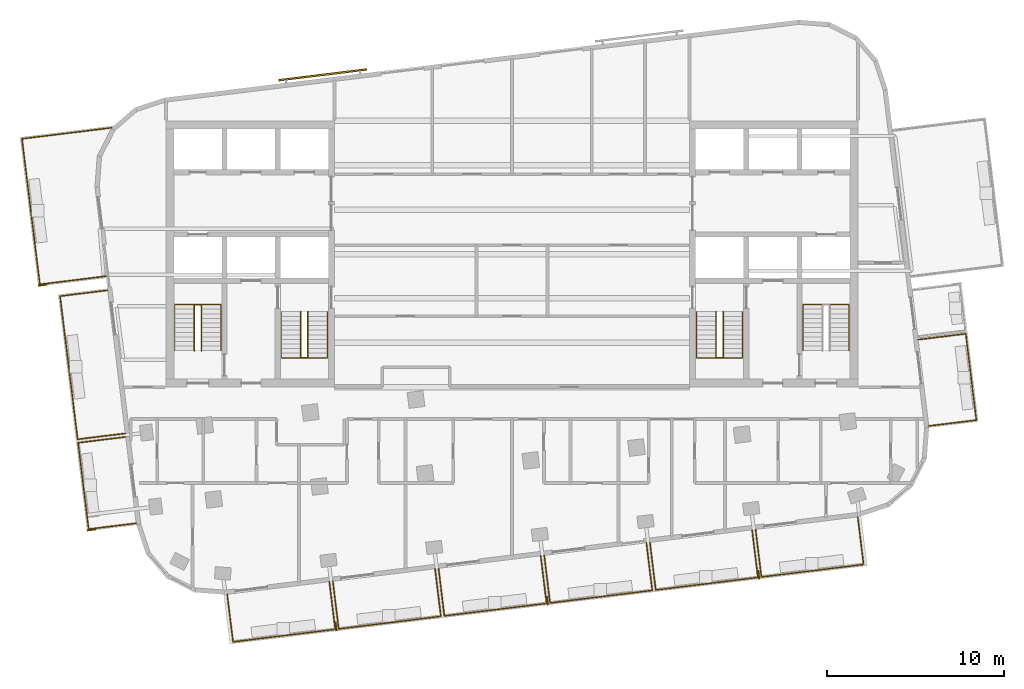
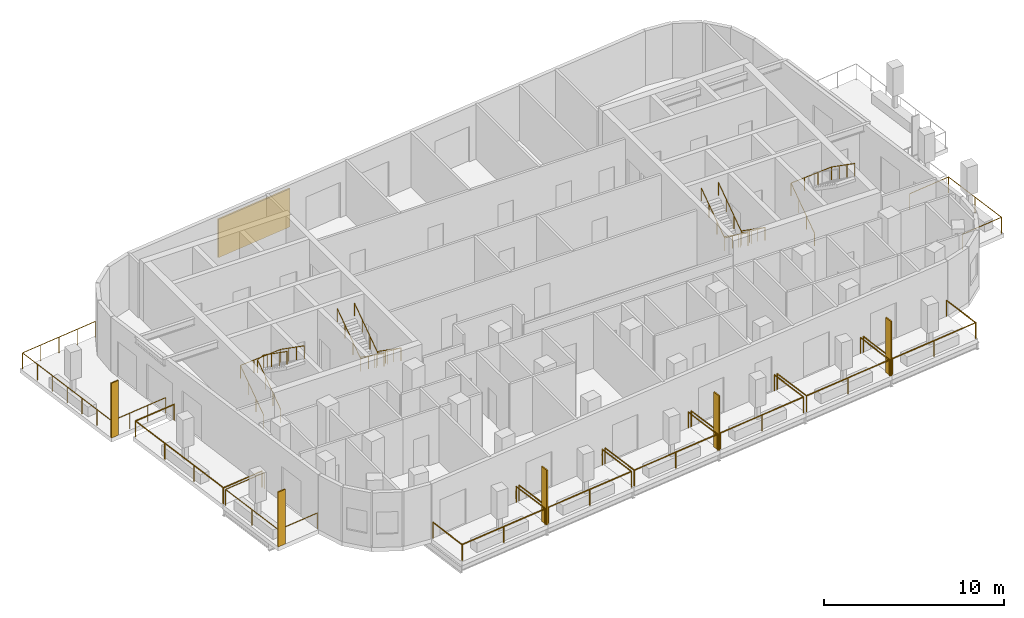
# One storey, part 9 of 11: 17 railings, 6 shading devices.
"""IFC4 building model written with IfcOpenShell, lengths in metres."""

import ifcopenshell
import ifcopenshell.guid

model = None  # the IFC model being written
_history = None  # IfcOwnerHistory: only IFC2X3 demands one
_inside = {}  # id of a spatial element -> (the spatial element, [elements in it])
_under = {}  # id of a project, library or spatial element -> (it, [spatial elements below it])
_declared = {}  # id of a project -> (the project, [libraries it declares])
_typed = {}  # id of a type object -> (the type object, [elements of that type])
_made_of = {}  # id of a material, layer set ... -> (it, [elements and type objects made of it])


def new_model(schema):
    """Start an empty IFC model of exactly this schema.

    Asked for "IFC4X3", IfcOpenShell would pick the latest addendum, in which some entities
    have other attributes; the version numbers below select the first issue.
    IFC2X3 requires an IfcOwnerHistory on every rooted entity: one is made here for all.
    """
    global model, _history
    if schema == "IFC4X3":
        model = ifcopenshell.file(schema_version=(4, 3, 0, 0))
    else:
        model = ifcopenshell.file(schema=schema)
    _inside.clear()
    _under.clear()
    _declared.clear()
    _typed.clear()
    _made_of.clear()
    _history = None
    if model.schema == "IFC2X3":
        org = make("IfcOrganization", Name="unknown")
        user = make(
            "IfcPersonAndOrganization",
            ThePerson=make("IfcPerson", FamilyName="unknown"),
            TheOrganization=org,
        )
        app = make(
            "IfcApplication",
            ApplicationDeveloper=org,
            Version="unknown",
            ApplicationFullName="unknown",
            ApplicationIdentifier="unknown",
        )
        _history = make(
            "IfcOwnerHistory",
            OwningUser=user,
            OwningApplication=app,
            ChangeAction="ADDED",
            CreationDate=0,
        )
    return model


def make(cls, **values):
    """One entity of the class cls with the attributes given. An attribute that is None is left unset."""
    return model.create_entity(
        cls, **{name: value for name, value in values.items() if value is not None}
    )


def rooted(cls, **values):
    """An entity with a GlobalId (a new one), such as an element, a storey or a relation."""
    return make(cls, GlobalId=ifcopenshell.guid.new(), OwnerHistory=_history, **values)


def si_unit(unit_type, name, prefix=None):
    """IfcSIUnit, for example si_unit("LENGTHUNIT", "METRE", prefix="MILLI")."""
    return make("IfcSIUnit", UnitType=unit_type, Prefix=prefix, Name=name)


def assignment(units):
    """IfcUnitAssignment: the units of a project."""
    return None if units is None else make("IfcUnitAssignment", Units=units)


def point(xyz):
    """IfcCartesianPoint."""
    return None if xyz is None else make("IfcCartesianPoint", Coordinates=xyz)


def direction(xyz):
    """IfcDirection."""
    return None if xyz is None else make("IfcDirection", DirectionRatios=xyz)


def frame(location, z_axis=None, x_axis=None):
    """IfcAxis2Placement3D, a coordinate frame: its origin and axes. An axis left out is left unset."""
    return make(
        "IfcAxis2Placement3D",
        Location=point(location),
        Axis=direction(z_axis),
        RefDirection=direction(x_axis),
    )


def frame_2d(location, x_axis=None):
    """IfcAxis2Placement2D, a coordinate frame in the plane: its origin and x axis."""
    return make(
        "IfcAxis2Placement2D", Location=point(location), RefDirection=direction(x_axis)
    )


def origin():
    """The frame at (0, 0, 0) with its axes left unset."""
    return frame((0.0, 0.0, 0.0))


def origin_2d():
    """The frame at (0, 0) in the plane with its x axis left unset."""
    return frame_2d((0.0, 0.0))


def place(relative_to, where):
    """IfcLocalPlacement: puts the frame where relative to a parent placement (None: the world)."""
    return make(
        "IfcLocalPlacement", PlacementRelTo=relative_to, RelativePlacement=where
    )


def context(
    kind, dimensions, precision=None, world=None, true_north=None, identifier=None
):
    """IfcGeometricRepresentationContext, for example the 3D "Model" context."""
    return make(
        "IfcGeometricRepresentationContext",
        ContextIdentifier=identifier,
        ContextType=kind,
        CoordinateSpaceDimension=dimensions,
        Precision=precision,
        WorldCoordinateSystem=world,
        TrueNorth=true_north,
    )


def subcontext(parent, identifier, kind, view, scale=None):
    """IfcGeometricRepresentationSubContext, for example "Body" below "Model"."""
    return make(
        "IfcGeometricRepresentationSubContext",
        ContextIdentifier=identifier,
        ContextType=kind,
        ParentContext=parent,
        TargetScale=scale,
        TargetView=view,
    )


def project(units=None, contexts=None):
    """IfcProject with its units and contexts."""
    return rooted(
        "IfcProject",
        Name="project",
        RepresentationContexts=contexts,
        UnitsInContext=assignment(units),
    )


def spatial(cls, under=None, at=None, **own):
    """A site, building, storey or space (cls), placed at a placement, below another one or the project."""
    s = rooted(cls, ObjectPlacement=at, **own)
    if under is not None:
        _under.setdefault(under.id(), (under, []))[1].append(s)
    return s


def profile(cls, at=None, kind="AREA", **sizes):
    """A parametric profile (cls). Its sizes go by their IFC names, for example OverallWidth=200.0."""
    return make(cls, ProfileType=kind, Position=at, **sizes)


def rectangle(**sizes):
    """IfcRectangleProfileDef."""
    return profile("IfcRectangleProfileDef", **sizes)


def circle(**sizes):
    """IfcCircleProfileDef."""
    return profile("IfcCircleProfileDef", **sizes)


def extrude(swept, where, along, depth):
    """IfcExtrudedAreaSolid: the profile swept, set in the frame where, extruded along a direction by depth."""
    return make(
        "IfcExtrudedAreaSolid",
        SweptArea=swept,
        Position=where,
        ExtrudedDirection=direction(along),
        Depth=depth,
    )


def shape(context_of_items, identifier, shape_type, items):
    """IfcShapeRepresentation: the items that make up one representation, for example the "Body"."""
    return make(
        "IfcShapeRepresentation",
        ContextOfItems=context_of_items,
        RepresentationIdentifier=identifier,
        RepresentationType=shape_type,
        Items=items,
    )


def material(Name=None, Category=None):
    """IfcMaterial."""
    return make("IfcMaterial", Name=Name, Category=Category)


def layer(
    of_material, thickness, ventilated=None, Name=None, Category=None, Priority=None
):
    """IfcMaterialLayer: one layer of a wall or slab, of a material (None: an air gap)."""
    return make(
        "IfcMaterialLayer",
        Material=of_material,
        LayerThickness=thickness,
        IsVentilated=ventilated,
        Name=Name,
        Category=Category,
        Priority=Priority,
    )


def layer_set(layers, Name=None):
    """IfcMaterialLayerSet."""
    return make("IfcMaterialLayerSet", MaterialLayers=layers, LayerSetName=Name)


def made_of(thing, what):
    """Note that an element or type object is made of a material, layer set ...; save() writes the relation."""
    if what is not None:
        _made_of.setdefault(what.id(), (what, []))[1].append(thing)
    return thing


def type_object(cls, material=None, **own):
    """A type object (cls), such as IfcWallType, which elements share."""
    return made_of(rooted(cls, **own), material)


def element(
    cls,
    number,
    at=None,
    inside=None,
    cuts=None,
    type_object=None,
    material=None,
    context=None,
    identifier="Body",
    shape_type=None,
    held_by="IfcProductDefinitionShape",
    body=None,
    shapes=None,
    **own,
):
    """One element of the class cls, such as IfcWall. Its Tag is "e" and its number.

    at: its placement. inside: the storey or other place that contains it. cuts: it is an
    opening in that element (IfcRelVoidsElement). A single representation is given by context,
    identifier, shape_type and body (its items); several are given by shapes. held_by: the class
    of the entity that holds the representations. save() writes the other relations.
    """
    e = rooted(cls, Tag="e%d" % number, ObjectPlacement=at, **own)
    if body is not None:
        shapes = [shape(context, identifier, shape_type, body)]
    if shapes is not None:
        e.Representation = make(held_by, Representations=shapes)
    if inside is not None:
        _inside.setdefault(inside.id(), (inside, []))[1].append(e)
    if cuts is not None:
        rooted(
            "IfcRelVoidsElement", RelatingBuildingElement=cuts, RelatedOpeningElement=e
        )
    if type_object is not None:
        _typed.setdefault(type_object.id(), (type_object, []))[1].append(e)
    return made_of(e, material)


def aggregate(whole, parts):
    """IfcRelAggregates: a whole, such as a stair, and the parts it consists of."""
    return rooted("IfcRelAggregates", RelatingObject=whole, RelatedObjects=parts)


def save(model, path):
    """Write the relations noted so far, then the file.

    IfcRelAggregates (storeys below a building ...), IfcRelContainedInSpatialStructure (elements
    in a storey), IfcRelDefinesByType, IfcRelAssociatesMaterial and IfcRelDeclares: one each for
    every whole, place, type object, material and project.
    """
    for whole, parts in _under.values():
        aggregate(whole, parts)
    for where, things in _inside.values():
        rooted(
            "IfcRelContainedInSpatialStructure",
            RelatedElements=things,
            RelatingStructure=where,
        )
    for kind, things in _typed.values():
        rooted("IfcRelDefinesByType", RelatedObjects=things, RelatingType=kind)
    for what, things in _made_of.values():
        rooted("IfcRelAssociatesMaterial", RelatedObjects=things, RelatingMaterial=what)
    for by, libraries in _declared.values():
        rooted("IfcRelDeclares", RelatingContext=by, RelatedDefinitions=libraries)
    model.write(path)


model = new_model("IFC4")

# Units and contexts
model_context = context("Model", 3, precision=1e-05, world=origin(), true_north=direction((0.0, 1.0)))
body_context = subcontext(model_context, "Body", "Model", "MODEL_VIEW")
ifc_project = project(units=[si_unit("LENGTHUNIT", "METRE"), si_unit("AREAUNIT", "SQUARE_METRE"), si_unit("VOLUMEUNIT", "CUBIC_METRE"), si_unit("PLANEANGLEUNIT", "RADIAN"), si_unit("MASSUNIT", "GRAM", prefix="KILO")], contexts=[model_context])

# Site, building, storey
site_placement = place(None, origin())
site = spatial("IfcSite", under=ifc_project, at=site_placement, CompositionType="ELEMENT")
building_placement = place(site_placement, origin())
building = spatial("IfcBuilding", under=site, at=building_placement, Name="Torana Hotel and Residences", CompositionType="ELEMENT")
storey_placement = place(building_placement, frame((0.0, 0.0, 322.60009765625)))
storey = spatial("IfcBuildingStorey", under=building, at=storey_placement, Name="L85", CompositionType="ELEMENT", Elevation=322.60009765625)

# Shading devices
ifc_material_1 = material(Name="Black powder coated aluminium", Category="aluminium")
ifc_layer_1 = layer(ifc_material_1, 0.080078125)
ifc_layer_set_1 = layer_set([ifc_layer_1], Name="FN1 VERTICAL FIN 500x80")
shading_device_type_1 = type_object("IfcShadingDeviceType", Name="FN1 VERTICAL FIN 500x80", PredefinedType="USERDEFINED", material=ifc_layer_set_1)
for number, where, z_axis, x_axis, name in (
    (1, (-9.921142578125, -28.4931640625, 0.0), (0.0, 0.0, 1.0), (-0.99254657704, -0.121865878765, 0.0), "Fin 01"),
    (2, (1.989501953125, -27.03076171875, 0.0), (0.0, 0.0, 1.0), (-0.99254657704, -0.121865878765, 0.0), "Fin 03"),
    (3, (13.89990234375, -25.568359375, 0.0), (0.0, 0.0, 1.0), (-0.99254657704, -0.121865878765, 0.0), "Fin 05"),
    (4, (-23.6982421875, -23.04150390625, 0.0), (0.0, 0.0, 1.0), (-0.121881469635, 0.992544662652, 0.0), "Fin 07"),
    (5, (-26.44970703125, -9.2490234375, 0.0), (0.0, 0.0, 1.0), (-0.121871075725, 0.992545938938, 0.0), "Fin 09"),
):
    element("IfcShadingDevice", number, at=place(storey_placement, frame(where, z_axis=z_axis, x_axis=x_axis)), inside=storey, type_object=shading_device_type_1, Name=name, ObjectType="FIN", PredefinedType="USERDEFINED", context=body_context, shape_type="SweptSolid", body=[
        extrude(rectangle(XDim=0.080078125, YDim=0.5, at=origin_2d()), origin(), (0.0, 0.0, 1.0), 3.719970703125),
    ])

# Railings
ifc_material_2 = material(Name="Laminated glass balustrade with black handrail", Category="glass")
railing_type_1 = type_object("IfcRailingType", Name="GR1 BALCONY GUARD 1100 GLASS", PredefinedType="GUARDRAIL", material=ifc_material_2)
railing_1_placement = place(storey_placement, frame((-10.29150390625, -25.969482421875, 0.0)))
element("IfcRailing", 6, at=railing_1_placement, inside=storey, type_object=railing_type_1, Name="Balcony guard 01", PredefinedType="GUARDRAIL", context=body_context, shape_type="SweptSolid", body=[
    extrude(circle(Radius=0.02392578125, at=origin_2d()), frame((0.0, 0.0, 1.076171875), z_axis=(0.121886613265, -0.992544031017, 0.0), x_axis=(0.992544031017, 0.121886613265, 0.0)), (0.0, 0.0, 1.0), 2.699951171875),
    extrude(circle(Radius=0.02392578125, at=origin_2d()), frame((0.3291015625, -2.679931640625, 1.076171875), z_axis=(-0.992547475119, -0.121858564057, 0.0), x_axis=(0.121858564057, -0.992547475119, 0.0)), (0.0, 0.0, 1.0), 5.800048828125),
    extrude(circle(Radius=0.02392578125, at=origin_2d()), frame((-5.427734375, -3.38671875, 1.076171875), z_axis=(-0.121797534772, 0.992554965996, 0.0), x_axis=(-0.992554965996, -0.121797534772, 0.0)), (0.0, 0.0, 1.0), 2.699951171875),
    extrude(circle(Radius=0.02099609375, at=origin_2d()), origin(), (0.0, 0.0, 1.0), 1.052001953125),
    extrude(circle(Radius=0.02099609375, at=origin_2d()), frame((0.3291015625, -2.679931640625, 0.0)), (0.0, 0.0, 1.0), 1.052001953125),
    extrude(circle(Radius=0.02099609375, at=origin_2d()), frame((-2.54931640625, -3.033203125, 0.0)), (0.0, 0.0, 1.0), 1.052001953125),
    extrude(circle(Radius=0.02099609375, at=origin_2d()), frame((-5.427734375, -3.38671875, 0.0)), (0.0, 0.0, 1.0), 1.052001953125),
    extrude(circle(Radius=0.02099609375, at=origin_2d()), frame((-5.756591796875, -0.706787109375, 0.0)), (0.0, 0.0, 1.0), 1.052001953125),
])
for number, where, name in (
    (7, (-4.336181640625, -25.23828125, 0.0), "Balcony guard 02"),
    (8, (1.619140625, -24.507080078125, 0.0), "Balcony guard 03"),
):
    element("IfcRailing", number, at=place(storey_placement, frame(where)), inside=storey, type_object=railing_type_1, Name=name, PredefinedType="GUARDRAIL", context=body_context, shape_type="SweptSolid", body=[
        extrude(circle(Radius=0.02392578125, at=origin_2d()), frame((0.0, 0.0, 1.076171875), z_axis=(0.121886613265, -0.992544031017, 0.0), x_axis=(0.992544031017, 0.121886613265, 0.0)), (0.0, 0.0, 1.0), 2.699951171875),
        extrude(circle(Radius=0.02392578125, at=origin_2d()), frame((0.3291015625, -2.679931640625, 1.076171875), z_axis=(-0.992547475119, -0.121858564057, 0.0), x_axis=(0.121858564057, -0.992547475119, 0.0)), (0.0, 0.0, 1.0), 5.800048828125),
        extrude(circle(Radius=0.02392578125, at=origin_2d()), frame((-5.427734375, -3.38671875, 1.076171875), z_axis=(-0.121886613265, 0.992544031017, 0.0), x_axis=(-0.992544031017, -0.121886613265, 0.0)), (0.0, 0.0, 1.0), 2.699951171875),
        extrude(circle(Radius=0.02099609375, at=origin_2d()), origin(), (0.0, 0.0, 1.0), 1.052001953125),
        extrude(circle(Radius=0.02099609375, at=origin_2d()), frame((0.3291015625, -2.679931640625, 0.0)), (0.0, 0.0, 1.0), 1.052001953125),
        extrude(circle(Radius=0.02099609375, at=origin_2d()), frame((-2.54931640625, -3.033203125, 0.0)), (0.0, 0.0, 1.0), 1.052001953125),
        extrude(circle(Radius=0.02099609375, at=origin_2d()), frame((-5.427734375, -3.38671875, 0.0)), (0.0, 0.0, 1.0), 1.052001953125),
        extrude(circle(Radius=0.02099609375, at=origin_2d()), frame((-5.7568359375, -0.706787109375, 0.0)), (0.0, 0.0, 1.0), 1.052001953125),
    ])
railing_2_placement = place(storey_placement, frame((7.57421875, -23.77587890625, 0.0)))
element("IfcRailing", 9, at=railing_2_placement, inside=storey, type_object=railing_type_1, Name="Balcony guard 04", PredefinedType="GUARDRAIL", context=body_context, shape_type="SweptSolid", body=[
    extrude(circle(Radius=0.02392578125, at=origin_2d()), frame((0.0, 0.0, 1.076171875), z_axis=(0.121886613265, -0.992544031017, 0.0), x_axis=(0.992544031017, 0.121886613265, 0.0)), (0.0, 0.0, 1.0), 2.699951171875),
    extrude(circle(Radius=0.02392578125, at=origin_2d()), frame((0.3291015625, -2.679931640625, 1.076171875), z_axis=(-0.992546850023, -0.121863655406, 0.0), x_axis=(0.121863655406, -0.992546850023, 0.0)), (0.0, 0.0, 1.0), 5.7998046875),
    extrude(circle(Radius=0.02392578125, at=origin_2d()), frame((-5.427490234375, -3.38671875, 1.076171875), z_axis=(-0.121886613265, 0.992544031017, 0.0), x_axis=(-0.992544031017, -0.121886613265, 0.0)), (0.0, 0.0, 1.0), 2.699951171875),
    extrude(circle(Radius=0.02099609375, at=origin_2d()), origin(), (0.0, 0.0, 1.0), 1.052001953125),
    extrude(circle(Radius=0.02099609375, at=origin_2d()), frame((0.3291015625, -2.679931640625, 0.0)), (0.0, 0.0, 1.0), 1.052001953125),
    extrude(circle(Radius=0.02099609375, at=origin_2d()), frame((-2.54931640625, -3.033203125, 0.0)), (0.0, 0.0, 1.0), 1.052001953125),
    extrude(circle(Radius=0.02099609375, at=origin_2d()), frame((-5.427490234375, -3.38671875, 0.0)), (0.0, 0.0, 1.0), 1.052001953125),
    extrude(circle(Radius=0.02099609375, at=origin_2d()), frame((-5.756591796875, -0.706787109375, 0.0)), (0.0, 0.0, 1.0), 1.052001953125),
])
for number, where, name in (
    (10, (13.529541015625, -23.044677734375, 0.0), "Balcony guard 05"),
    (11, (19.48486328125, -22.3134765625, 0.0), "Balcony guard 06"),
):
    element("IfcRailing", number, at=place(storey_placement, frame(where)), inside=storey, type_object=railing_type_1, Name=name, PredefinedType="GUARDRAIL", context=body_context, shape_type="SweptSolid", body=[
        extrude(circle(Radius=0.02392578125, at=origin_2d()), frame((0.0, 0.0, 1.076171875), z_axis=(0.121886613265, -0.992544031017, 0.0), x_axis=(0.992544031017, 0.121886613265, 0.0)), (0.0, 0.0, 1.0), 2.699951171875),
        extrude(circle(Radius=0.02392578125, at=origin_2d()), frame((0.3291015625, -2.679931640625, 1.076171875), z_axis=(-0.992547475119, -0.121858564057, 0.0), x_axis=(0.121858564057, -0.992547475119, 0.0)), (0.0, 0.0, 1.0), 5.800048828125),
        extrude(circle(Radius=0.02392578125, at=origin_2d()), frame((-5.427734375, -3.38671875, 1.076171875), z_axis=(-0.121797534772, 0.992554965996, 0.0), x_axis=(-0.992554965996, -0.121797534772, 0.0)), (0.0, 0.0, 1.0), 2.699951171875),
        extrude(circle(Radius=0.02099609375, at=origin_2d()), origin(), (0.0, 0.0, 1.0), 1.052001953125),
        extrude(circle(Radius=0.02099609375, at=origin_2d()), frame((0.3291015625, -2.679931640625, 0.0)), (0.0, 0.0, 1.0), 1.052001953125),
        extrude(circle(Radius=0.02099609375, at=origin_2d()), frame((-2.54931640625, -3.033203125, 0.0)), (0.0, 0.0, 1.0), 1.052001953125),
        extrude(circle(Radius=0.02099609375, at=origin_2d()), frame((-5.427734375, -3.38671875, 0.0)), (0.0, 0.0, 1.0), 1.052001953125),
        extrude(circle(Radius=0.02099609375, at=origin_2d()), frame((-5.756591796875, -0.706787109375, 0.0)), (0.0, 0.0, 1.0), 1.052001953125),
    ])
railing_3_placement = place(storey_placement, frame((-21.174560546875, -22.671142578125, 0.0)))
element("IfcRailing", 12, at=railing_3_placement, inside=storey, type_object=railing_type_1, Name="Balcony guard 07", PredefinedType="GUARDRAIL", context=body_context, shape_type="SweptSolid", body=[
    extrude(circle(Radius=0.02392578125, at=origin_2d()), frame((0.0, 0.0, 1.076171875), z_axis=(-0.992544031017, -0.121886613265, 0.0), x_axis=(0.121886613265, -0.992544031017, 0.0)), (0.0, 0.0, 1.0), 2.699951171875),
    extrude(circle(Radius=0.02392578125, at=origin_2d()), frame((-2.679931640625, -0.3291015625, 1.076171875), z_axis=(-0.121869773493, 0.992546098833, 0.0), x_axis=(-0.992546098833, -0.121869773493, 0.0)), (0.0, 0.0, 1.0), 4.900146484375),
    extrude(circle(Radius=0.02392578125, at=origin_2d()), frame((-3.277099609375, 4.534423828125, 1.076171875), z_axis=(0.992554965996, 0.121797534772, 0.0), x_axis=(-0.121797534772, 0.992554965996, 0.0)), (0.0, 0.0, 1.0), 2.699951171875),
    extrude(circle(Radius=0.02099609375, at=origin_2d()), origin(), (0.0, 0.0, 1.0), 1.052001953125),
    extrude(circle(Radius=0.02099609375, at=origin_2d()), frame((-2.679931640625, -0.3291015625, 0.0)), (0.0, 0.0, 1.0), 1.052001953125),
    extrude(circle(Radius=0.02099609375, at=origin_2d()), frame((-2.978515625, 2.1025390625, 0.0)), (0.0, 0.0, 1.0), 1.052001953125),
    extrude(circle(Radius=0.02099609375, at=origin_2d()), frame((-3.277099609375, 4.534423828125, 0.0)), (0.0, 0.0, 1.0), 1.052001953125),
    extrude(circle(Radius=0.02099609375, at=origin_2d()), frame((-0.59716796875, 4.86328125, 0.0)), (0.0, 0.0, 1.0), 1.052001953125),
])
railing_4_placement = place(storey_placement, frame((-21.796142578125, -17.609130859375, 0.0)))
element("IfcRailing", 13, at=railing_4_placement, inside=storey, type_object=railing_type_1, Name="Balcony guard 08", PredefinedType="GUARDRAIL", context=body_context, shape_type="SweptSolid", body=[
    extrude(circle(Radius=0.02392578125, at=origin_2d()), frame((0.0, 0.0, 1.076171875), z_axis=(-0.992544031017, -0.121886613265, 0.0), x_axis=(0.121886613265, -0.992544031017, 0.0)), (0.0, 0.0, 1.0), 2.699951171875),
    extrude(circle(Radius=0.02392578125, at=origin_2d()), frame((-2.679931640625, -0.3291015625, 1.076171875), z_axis=(-0.121845081243, 0.992549130359, 0.0), x_axis=(-0.992549130359, -0.121845081243, 0.0)), (0.0, 0.0, 1.0), 8.125),
    extrude(circle(Radius=0.02392578125, at=origin_2d()), frame((-3.669921875, 7.7353515625, 1.076171875), z_axis=(0.992554965996, 0.121797534772, 0.0), x_axis=(-0.121797534772, 0.992554965996, 0.0)), (0.0, 0.0, 1.0), 2.699951171875),
    extrude(circle(Radius=0.02099609375, at=origin_2d()), origin(), (0.0, 0.0, 1.0), 1.052001953125),
    extrude(circle(Radius=0.02099609375, at=origin_2d()), frame((-2.679931640625, -0.3291015625, 0.0)), (0.0, 0.0, 1.0), 1.052001953125),
    extrude(circle(Radius=0.02099609375, at=origin_2d()), frame((-3.010009765625, 2.359130859375, 0.0)), (0.0, 0.0, 1.0), 1.052001953125),
    extrude(circle(Radius=0.02099609375, at=origin_2d()), frame((-3.33984375, 5.047119140625, 0.0)), (0.0, 0.0, 1.0), 1.052001953125),
    extrude(circle(Radius=0.02099609375, at=origin_2d()), frame((-3.669921875, 7.7353515625, 0.0)), (0.0, 0.0, 1.0), 1.052001953125),
    extrude(circle(Radius=0.02099609375, at=origin_2d()), frame((-0.989990234375, 8.064208984375, 0.0)), (0.0, 0.0, 1.0), 1.052001953125),
])
railing_5_placement = place(storey_placement, frame((-22.8837890625, -8.750732421875, 0.0)))
element("IfcRailing", 14, at=railing_5_placement, inside=storey, type_object=railing_type_1, Name="Balcony guard 09", PredefinedType="GUARDRAIL", context=body_context, shape_type="SweptSolid", body=[
    extrude(circle(Radius=0.02392578125, at=origin_2d()), frame((0.0, 0.0, 1.076171875), z_axis=(-0.992544975267, -0.121878923824, 0.0), x_axis=(0.121878923824, -0.992544975267, 0.0)), (0.0, 0.0, 1.0), 3.75),
    extrude(circle(Radius=0.02392578125, at=origin_2d()), frame((-3.721923828125, -0.45703125, 1.076171875), z_axis=(-0.121878024543, 0.992545085693, 0.0), x_axis=(-0.992545085693, -0.121878024543, 0.0)), (0.0, 0.0, 1.0), 8.262939453125),
    extrude(circle(Radius=0.02392578125, at=origin_2d()), frame((-4.72900390625, 7.744384765625, 1.076171875), z_axis=(0.992542638755, 0.12189795016, 0.0), x_axis=(-0.12189795016, 0.992542638755, 0.0)), (0.0, 0.0, 1.0), 5.0771484375),
    extrude(circle(Radius=0.02099609375, at=origin_2d()), origin(), (0.0, 0.0, 1.0), 1.052001953125),
    extrude(circle(Radius=0.02099609375, at=origin_2d()), frame((-1.24072265625, -0.15234375, 0.0)), (0.0, 0.0, 1.0), 1.052001953125),
    extrude(circle(Radius=0.02099609375, at=origin_2d()), frame((-2.481201171875, -0.3046875, 0.0)), (0.0, 0.0, 1.0), 1.052001953125),
    extrude(circle(Radius=0.02099609375, at=origin_2d()), frame((-3.721923828125, -0.45703125, 0.0)), (0.0, 0.0, 1.0), 1.052001953125),
    extrude(circle(Radius=0.02099609375, at=origin_2d()), frame((-3.8896484375, 0.909912109375, 0.0)), (0.0, 0.0, 1.0), 1.052001953125),
    extrude(circle(Radius=0.02099609375, at=origin_2d()), frame((-4.0576171875, 2.27685546875, 0.0)), (0.0, 0.0, 1.0), 1.052001953125),
    extrude(circle(Radius=0.02099609375, at=origin_2d()), frame((-4.2255859375, 3.6435546875, 0.0)), (0.0, 0.0, 1.0), 1.052001953125),
    extrude(circle(Radius=0.02099609375, at=origin_2d()), frame((-4.393310546875, 5.010498046875, 0.0)), (0.0, 0.0, 1.0), 1.052001953125),
    extrude(circle(Radius=0.02099609375, at=origin_2d()), frame((-4.56103515625, 6.37744140625, 0.0)), (0.0, 0.0, 1.0), 1.052001953125),
    extrude(circle(Radius=0.02099609375, at=origin_2d()), frame((-4.72900390625, 7.744384765625, 0.0)), (0.0, 0.0, 1.0), 1.052001953125),
    extrude(circle(Radius=0.02099609375, at=origin_2d()), frame((-3.46923828125, 7.899169921875, 0.0)), (0.0, 0.0, 1.0), 1.052001953125),
    extrude(circle(Radius=0.02099609375, at=origin_2d()), frame((-2.20947265625, 8.0537109375, 0.0)), (0.0, 0.0, 1.0), 1.052001953125),
    extrude(circle(Radius=0.02099609375, at=origin_2d()), frame((-0.949462890625, 8.20849609375, 0.0)), (0.0, 0.0, 1.0), 1.052001953125),
    extrude(circle(Radius=0.02099609375, at=origin_2d()), frame((0.310302734375, 8.36328125, 0.0)), (0.0, 0.0, 1.0), 1.052001953125),
])
railing_6_placement = place(storey_placement, frame((22.892822265625, -12.32373046875, 0.0)))
element("IfcRailing", 15, at=railing_6_placement, inside=storey, type_object=railing_type_1, Name="Balcony guard 10", PredefinedType="GUARDRAIL", context=body_context, shape_type="SweptSolid", body=[
    extrude(circle(Radius=0.02392578125, at=origin_2d()), frame((0.0, 0.0, 1.076171875), z_axis=(0.992544031017, 0.121886613265, 0.0), x_axis=(-0.121886613265, 0.992544031017, 0.0)), (0.0, 0.0, 1.0), 2.699951171875),
    extrude(circle(Radius=0.02392578125, at=origin_2d()), frame((2.679931640625, 0.3291015625, 1.076171875), z_axis=(0.121869773493, -0.992546098833, 0.0), x_axis=(0.992546098833, 0.121869773493, 0.0)), (0.0, 0.0, 1.0), 4.900146484375),
    extrude(circle(Radius=0.02392578125, at=origin_2d()), frame((3.277099609375, -4.534423828125, 1.076171875), z_axis=(-0.992554965996, -0.121797534772, 0.0), x_axis=(0.121797534772, -0.992554965996, 0.0)), (0.0, 0.0, 1.0), 2.699951171875),
    extrude(circle(Radius=0.02099609375, at=origin_2d()), origin(), (0.0, 0.0, 1.0), 1.052001953125),
    extrude(circle(Radius=0.02099609375, at=origin_2d()), frame((2.679931640625, 0.3291015625, 0.0)), (0.0, 0.0, 1.0), 1.052001953125),
    extrude(circle(Radius=0.02099609375, at=origin_2d()), frame((2.978515625, -2.1025390625, 0.0)), (0.0, 0.0, 1.0), 1.052001953125),
    extrude(circle(Radius=0.02099609375, at=origin_2d()), frame((3.277099609375, -4.534423828125, 0.0)), (0.0, 0.0, 1.0), 1.052001953125),
    extrude(circle(Radius=0.02099609375, at=origin_2d()), frame((0.59716796875, -4.86328125, 0.0)), (0.0, 0.0, 1.0), 1.052001953125),
])

# Shading device
ifc_material_3 = material(Name="Concrete C40/50 precast", Category="concrete")
ifc_layer_2 = layer(ifc_material_3, 0.10009765625)
ifc_layer_set_2 = layer_set([ifc_layer_2], Name="SC1 PERFORATED BLOCK SCREEN PANEL 100")
shading_device_type_2 = type_object("IfcShadingDeviceType", Name="SC1 PERFORATED BLOCK SCREEN PANEL 100", PredefinedType="USERDEFINED", material=ifc_layer_set_2)
shading_device_placement = place(storey_placement, frame((-10.663330078125, 2.59814453125, 0.499755859375), z_axis=(0.0, 0.0, 1.0), x_axis=(-0.99254657704, -0.121865878765, 0.0)))
element("IfcShadingDevice", 16, at=shading_device_placement, inside=storey, type_object=shading_device_type_2, Name="Perforated block screen L85", ObjectType="SCREEN", PredefinedType="USERDEFINED", context=body_context, shape_type="SweptSolid", body=[
    extrude(rectangle(XDim=5.0, YDim=0.10009765625, at=origin_2d()), origin(), (0.0, 0.0, 1.0), 2.60009765625),
])

# Railings
ifc_material_4 = material(Name="Stainless steel 316", Category="steel")
railing_type_2 = type_object("IfcRailingType", Name="STAIR HANDRAIL HR1 900", PredefinedType="HANDRAIL", material=ifc_material_4)
railing_7_placement = place(storey_placement, frame((-10.39990234375, -10.75, 0.181640625)))
element("IfcRailing", 17, at=railing_7_placement, inside=storey, type_object=railing_type_2, Name="Handrail ST1 L85 O1", PredefinedType="HANDRAIL", context=body_context, shape_type="SweptSolid", body=[
    extrude(circle(Radius=0.02392578125, at=origin_2d()), frame((0.0, 0.0, 0.8759765625), z_axis=(0.0, -0.819484887739, 0.573100792852), x_axis=(1.0, 0.0, 0.0)), (0.0, 0.0, 1.0), 3.1728515625),
    extrude(circle(Radius=0.02392578125, at=origin_2d()), frame((0.0, -2.60009765625, 2.6943359375), z_axis=(-0.997568744571, 0.0, 0.06968930948), x_axis=(0.0, -1.0, 0.0)), (0.0, 0.0, 1.0), 2.6064453125),
    extrude(circle(Radius=0.02392578125, at=origin_2d()), frame((-2.60009765625, -2.60009765625, 2.8759765625), z_axis=(0.0, 0.819484887739, 0.573100792852), x_axis=(-1.0, 0.0, 0.0)), (0.0, 0.0, 1.0), 3.1728515625),
    extrude(circle(Radius=0.02099609375, at=origin_2d()), origin(), (0.0, 0.0, 1.0), 0.851806640625),
    extrude(circle(Radius=0.02099609375, at=origin_2d()), frame((0.0, -0.86669921875, 0.606201171875)), (0.0, 0.0, 1.0), 0.851806640625),
    extrude(circle(Radius=0.02099609375, at=origin_2d()), frame((0.0, -1.7333984375, 1.212158203125)), (0.0, 0.0, 1.0), 0.851806640625),
    extrude(circle(Radius=0.02099609375, at=origin_2d()), frame((0.0, -2.60009765625, 1.818359375)), (0.0, 0.0, 1.0), 0.851806640625),
    extrude(circle(Radius=0.02099609375, at=origin_2d()), frame((-0.86669921875, -2.60009765625, 1.87890625)), (0.0, 0.0, 1.0), 0.851806640625),
    extrude(circle(Radius=0.02099609375, at=origin_2d()), frame((-1.7333984375, -2.60009765625, 1.939453125)), (0.0, 0.0, 1.0), 0.851806640625),
    extrude(circle(Radius=0.02099609375, at=origin_2d()), frame((-2.60009765625, -2.60009765625, 2.0)), (0.0, 0.0, 1.0), 0.851806640625),
    extrude(circle(Radius=0.02099609375, at=origin_2d()), frame((-2.60009765625, -1.7333984375, 2.606201171875)), (0.0, 0.0, 1.0), 0.851806640625),
    extrude(circle(Radius=0.02099609375, at=origin_2d()), frame((-2.60009765625, -0.86669921875, 3.212158203125)), (0.0, 0.0, 1.0), 0.851806640625),
    extrude(circle(Radius=0.02099609375, at=origin_2d()), frame((-2.60009765625, 0.0, 3.818359375)), (0.0, 0.0, 1.0), 0.851806640625),
])
railing_8_placement = place(storey_placement, frame((-11.5, -10.75, 0.181640625)))
element("IfcRailing", 18, at=railing_8_placement, inside=storey, type_object=railing_type_2, Name="Handrail ST1 L85 I1", PredefinedType="HANDRAIL", context=body_context, shape_type="SweptSolid", body=[
    extrude(circle(Radius=0.02392578125, at=origin_2d()), frame((0.0, 0.0, 0.8759765625), z_axis=(0.0, -0.819484887739, 0.573100792852), x_axis=(1.0, 0.0, 0.0)), (0.0, 0.0, 1.0), 3.1728515625),
    extrude(circle(Radius=0.02392578125, at=origin_2d()), frame((0.0, -2.60009765625, 2.6943359375), z_axis=(-0.910480658332, 0.0, 0.413551654334), x_axis=(0.0, -1.0, 0.0)), (0.0, 0.0, 1.0), 0.439208984375),
    extrude(circle(Radius=0.02392578125, at=origin_2d()), frame((-0.39990234375, -2.60009765625, 2.8759765625), z_axis=(0.0, 0.819484887739, 0.573100792852), x_axis=(-1.0, 0.0, 0.0)), (0.0, 0.0, 1.0), 3.1728515625),
    extrude(circle(Radius=0.02099609375, at=origin_2d()), origin(), (0.0, 0.0, 1.0), 0.851806640625),
    extrude(circle(Radius=0.02099609375, at=origin_2d()), frame((0.0, -0.86669921875, 0.606201171875)), (0.0, 0.0, 1.0), 0.851806640625),
    extrude(circle(Radius=0.02099609375, at=origin_2d()), frame((0.0, -1.7333984375, 1.212158203125)), (0.0, 0.0, 1.0), 0.851806640625),
    extrude(circle(Radius=0.02099609375, at=origin_2d()), frame((0.0, -2.60009765625, 1.818359375)), (0.0, 0.0, 1.0), 0.851806640625),
    extrude(circle(Radius=0.02099609375, at=origin_2d()), frame((-0.39990234375, -2.60009765625, 2.0)), (0.0, 0.0, 1.0), 0.851806640625),
    extrude(circle(Radius=0.02099609375, at=origin_2d()), frame((-0.39990234375, -1.7333984375, 2.606201171875)), (0.0, 0.0, 1.0), 0.851806640625),
    extrude(circle(Radius=0.02099609375, at=origin_2d()), frame((-0.39990234375, -0.86669921875, 3.212158203125)), (0.0, 0.0, 1.0), 0.851806640625),
    extrude(circle(Radius=0.02099609375, at=origin_2d()), frame((-0.39990234375, 0.0, 3.818359375)), (0.0, 0.0, 1.0), 0.851806640625),
])
railing_9_placement = place(storey_placement, frame((-19.0, -12.949951171875, 0.181640625)))
element("IfcRailing", 19, at=railing_9_placement, inside=storey, type_object=railing_type_2, Name="Handrail ST2 L85 O1", PredefinedType="HANDRAIL", context=body_context, shape_type="SweptSolid", body=[
    extrude(circle(Radius=0.02392578125, at=origin_2d()), frame((0.0, 0.0, 0.8759765625), z_axis=(0.0, 0.819459612548, 0.573136932506), x_axis=(-1.0, 0.0, 0.0)), (0.0, 0.0, 1.0), 3.172607421875),
    extrude(circle(Radius=0.02392578125, at=origin_2d()), frame((0.0, 2.599853515625, 2.6943359375), z_axis=(0.997568744571, 0.0, 0.06968930948), x_axis=(0.0, 1.0, 0.0)), (0.0, 0.0, 1.0), 2.6064453125),
    extrude(circle(Radius=0.02392578125, at=origin_2d()), frame((2.60009765625, 2.599853515625, 2.8759765625), z_axis=(0.0, -0.819459612548, 0.573136932506), x_axis=(1.0, 0.0, 0.0)), (0.0, 0.0, 1.0), 3.172607421875),
    extrude(circle(Radius=0.02099609375, at=origin_2d()), origin(), (0.0, 0.0, 1.0), 0.851806640625),
    extrude(circle(Radius=0.02099609375, at=origin_2d()), frame((0.0, 0.86669921875, 0.606201171875)), (0.0, 0.0, 1.0), 0.851806640625),
    extrude(circle(Radius=0.02099609375, at=origin_2d()), frame((0.0, 1.733154296875, 1.212158203125)), (0.0, 0.0, 1.0), 0.851806640625),
    extrude(circle(Radius=0.02099609375, at=origin_2d()), frame((0.0, 2.599853515625, 1.818359375)), (0.0, 0.0, 1.0), 0.851806640625),
    extrude(circle(Radius=0.02099609375, at=origin_2d()), frame((0.86669921875, 2.599853515625, 1.87890625)), (0.0, 0.0, 1.0), 0.851806640625),
    extrude(circle(Radius=0.02099609375, at=origin_2d()), frame((1.7333984375, 2.599853515625, 1.939453125)), (0.0, 0.0, 1.0), 0.851806640625),
    extrude(circle(Radius=0.02099609375, at=origin_2d()), frame((2.60009765625, 2.599853515625, 2.0)), (0.0, 0.0, 1.0), 0.851806640625),
    extrude(circle(Radius=0.02099609375, at=origin_2d()), frame((2.60009765625, 1.733154296875, 2.606201171875)), (0.0, 0.0, 1.0), 0.851806640625),
    extrude(circle(Radius=0.02099609375, at=origin_2d()), frame((2.60009765625, 0.86669921875, 3.212158203125)), (0.0, 0.0, 1.0), 0.851806640625),
    extrude(circle(Radius=0.02099609375, at=origin_2d()), frame((2.60009765625, 0.0, 3.818359375)), (0.0, 0.0, 1.0), 0.851806640625),
])
railing_10_placement = place(storey_placement, frame((-17.89990234375, -12.949951171875, 0.181640625)))
element("IfcRailing", 20, at=railing_10_placement, inside=storey, type_object=railing_type_2, Name="Handrail ST2 L85 I1", PredefinedType="HANDRAIL", context=body_context, shape_type="SweptSolid", body=[
    extrude(circle(Radius=0.02392578125, at=origin_2d()), frame((0.0, 0.0, 0.8759765625), z_axis=(0.0, 0.819459612548, 0.573136932506), x_axis=(-1.0, 0.0, 0.0)), (0.0, 0.0, 1.0), 3.172607421875),
    extrude(circle(Radius=0.02392578125, at=origin_2d()), frame((0.0, 2.599853515625, 2.6943359375), z_axis=(0.910480658332, 0.0, 0.413551654334), x_axis=(0.0, 1.0, 0.0)), (0.0, 0.0, 1.0), 0.439208984375),
    extrude(circle(Radius=0.02392578125, at=origin_2d()), frame((0.39990234375, 2.599853515625, 2.8759765625), z_axis=(0.0, -0.819459612548, 0.573136932506), x_axis=(1.0, 0.0, 0.0)), (0.0, 0.0, 1.0), 3.172607421875),
    extrude(circle(Radius=0.02099609375, at=origin_2d()), origin(), (0.0, 0.0, 1.0), 0.851806640625),
    extrude(circle(Radius=0.02099609375, at=origin_2d()), frame((0.0, 0.86669921875, 0.606201171875)), (0.0, 0.0, 1.0), 0.851806640625),
    extrude(circle(Radius=0.02099609375, at=origin_2d()), frame((0.0, 1.733154296875, 1.212158203125)), (0.0, 0.0, 1.0), 0.851806640625),
    extrude(circle(Radius=0.02099609375, at=origin_2d()), frame((0.0, 2.599853515625, 1.818359375)), (0.0, 0.0, 1.0), 0.851806640625),
    extrude(circle(Radius=0.02099609375, at=origin_2d()), frame((0.39990234375, 2.599853515625, 2.0)), (0.0, 0.0, 1.0), 0.851806640625),
    extrude(circle(Radius=0.02099609375, at=origin_2d()), frame((0.39990234375, 1.733154296875, 2.606201171875)), (0.0, 0.0, 1.0), 0.851806640625),
    extrude(circle(Radius=0.02099609375, at=origin_2d()), frame((0.39990234375, 0.86669921875, 3.212158203125)), (0.0, 0.0, 1.0), 0.851806640625),
    extrude(circle(Radius=0.02099609375, at=origin_2d()), frame((0.39990234375, 0.0, 3.818359375)), (0.0, 0.0, 1.0), 0.851806640625),
])
railing_11_placement = place(storey_placement, frame((13.0, -10.75, 0.181640625)))
element("IfcRailing", 21, at=railing_11_placement, inside=storey, type_object=railing_type_2, Name="Handrail ST3 L85 O1", PredefinedType="HANDRAIL", context=body_context, shape_type="SweptSolid", body=[
    extrude(circle(Radius=0.02392578125, at=origin_2d()), frame((0.0, 0.0, 0.8759765625), z_axis=(0.0, -0.819484887739, 0.573100792852), x_axis=(1.0, 0.0, 0.0)), (0.0, 0.0, 1.0), 3.1728515625),
    extrude(circle(Radius=0.02392578125, at=origin_2d()), frame((0.0, -2.60009765625, 2.6943359375), z_axis=(-0.997568744571, 0.0, 0.06968930948), x_axis=(0.0, -1.0, 0.0)), (0.0, 0.0, 1.0), 2.6064453125),
    extrude(circle(Radius=0.02392578125, at=origin_2d()), frame((-2.60009765625, -2.60009765625, 2.8759765625), z_axis=(0.0, 0.819484887739, 0.573100792852), x_axis=(-1.0, 0.0, 0.0)), (0.0, 0.0, 1.0), 3.1728515625),
    extrude(circle(Radius=0.02099609375, at=origin_2d()), origin(), (0.0, 0.0, 1.0), 0.851806640625),
    extrude(circle(Radius=0.02099609375, at=origin_2d()), frame((0.0, -0.86669921875, 0.606201171875)), (0.0, 0.0, 1.0), 0.851806640625),
    extrude(circle(Radius=0.02099609375, at=origin_2d()), frame((0.0, -1.7333984375, 1.212158203125)), (0.0, 0.0, 1.0), 0.851806640625),
    extrude(circle(Radius=0.02099609375, at=origin_2d()), frame((0.0, -2.60009765625, 1.818359375)), (0.0, 0.0, 1.0), 0.851806640625),
    extrude(circle(Radius=0.02099609375, at=origin_2d()), frame((-0.86669921875, -2.60009765625, 1.87890625)), (0.0, 0.0, 1.0), 0.851806640625),
    extrude(circle(Radius=0.02099609375, at=origin_2d()), frame((-1.7333984375, -2.60009765625, 1.939453125)), (0.0, 0.0, 1.0), 0.851806640625),
    extrude(circle(Radius=0.02099609375, at=origin_2d()), frame((-2.60009765625, -2.60009765625, 2.0)), (0.0, 0.0, 1.0), 0.851806640625),
    extrude(circle(Radius=0.02099609375, at=origin_2d()), frame((-2.60009765625, -1.7333984375, 2.606201171875)), (0.0, 0.0, 1.0), 0.851806640625),
    extrude(circle(Radius=0.02099609375, at=origin_2d()), frame((-2.60009765625, -0.86669921875, 3.212158203125)), (0.0, 0.0, 1.0), 0.851806640625),
    extrude(circle(Radius=0.02099609375, at=origin_2d()), frame((-2.60009765625, 0.0, 3.818359375)), (0.0, 0.0, 1.0), 0.851806640625),
])
railing_12_placement = place(storey_placement, frame((11.89990234375, -10.75, 0.181640625)))
element("IfcRailing", 22, at=railing_12_placement, inside=storey, type_object=railing_type_2, Name="Handrail ST3 L85 I1", PredefinedType="HANDRAIL", context=body_context, shape_type="SweptSolid", body=[
    extrude(circle(Radius=0.02392578125, at=origin_2d()), frame((0.0, 0.0, 0.8759765625), z_axis=(0.0, -0.819484887739, 0.573100792852), x_axis=(1.0, 0.0, 0.0)), (0.0, 0.0, 1.0), 3.1728515625),
    extrude(circle(Radius=0.02392578125, at=origin_2d()), frame((0.0, -2.60009765625, 2.6943359375), z_axis=(-0.910480658332, 0.0, 0.413551654334), x_axis=(0.0, -1.0, 0.0)), (0.0, 0.0, 1.0), 0.439208984375),
    extrude(circle(Radius=0.02392578125, at=origin_2d()), frame((-0.39990234375, -2.60009765625, 2.8759765625), z_axis=(0.0, 0.819484887739, 0.573100792852), x_axis=(-1.0, 0.0, 0.0)), (0.0, 0.0, 1.0), 3.1728515625),
    extrude(circle(Radius=0.02099609375, at=origin_2d()), origin(), (0.0, 0.0, 1.0), 0.851806640625),
    extrude(circle(Radius=0.02099609375, at=origin_2d()), frame((0.0, -0.86669921875, 0.606201171875)), (0.0, 0.0, 1.0), 0.851806640625),
    extrude(circle(Radius=0.02099609375, at=origin_2d()), frame((0.0, -1.7333984375, 1.212158203125)), (0.0, 0.0, 1.0), 0.851806640625),
    extrude(circle(Radius=0.02099609375, at=origin_2d()), frame((0.0, -2.60009765625, 1.818359375)), (0.0, 0.0, 1.0), 0.851806640625),
    extrude(circle(Radius=0.02099609375, at=origin_2d()), frame((-0.39990234375, -2.60009765625, 2.0)), (0.0, 0.0, 1.0), 0.851806640625),
    extrude(circle(Radius=0.02099609375, at=origin_2d()), frame((-0.39990234375, -1.7333984375, 2.606201171875)), (0.0, 0.0, 1.0), 0.851806640625),
    extrude(circle(Radius=0.02099609375, at=origin_2d()), frame((-0.39990234375, -0.86669921875, 3.212158203125)), (0.0, 0.0, 1.0), 0.851806640625),
    extrude(circle(Radius=0.02099609375, at=origin_2d()), frame((-0.39990234375, 0.0, 3.818359375)), (0.0, 0.0, 1.0), 0.851806640625),
])
railing_13_placement = place(storey_placement, frame((16.39990234375, -12.949951171875, 0.181640625)))
element("IfcRailing", 23, at=railing_13_placement, inside=storey, type_object=railing_type_2, Name="Handrail ST4 L85 O1", PredefinedType="HANDRAIL", context=body_context, shape_type="SweptSolid", body=[
    extrude(circle(Radius=0.02392578125, at=origin_2d()), frame((0.0, 0.0, 0.8759765625), z_axis=(0.0, 0.819459612548, 0.573136932506), x_axis=(-1.0, 0.0, 0.0)), (0.0, 0.0, 1.0), 3.172607421875),
    extrude(circle(Radius=0.02392578125, at=origin_2d()), frame((0.0, 2.599853515625, 2.6943359375), z_axis=(0.997568744571, 0.0, 0.06968930948), x_axis=(0.0, 1.0, 0.0)), (0.0, 0.0, 1.0), 2.6064453125),
    extrude(circle(Radius=0.02392578125, at=origin_2d()), frame((2.60009765625, 2.599853515625, 2.8759765625), z_axis=(0.0, -0.819459612548, 0.573136932506), x_axis=(1.0, 0.0, 0.0)), (0.0, 0.0, 1.0), 3.172607421875),
    extrude(circle(Radius=0.02099609375, at=origin_2d()), origin(), (0.0, 0.0, 1.0), 0.851806640625),
    extrude(circle(Radius=0.02099609375, at=origin_2d()), frame((0.0, 0.86669921875, 0.606201171875)), (0.0, 0.0, 1.0), 0.851806640625),
    extrude(circle(Radius=0.02099609375, at=origin_2d()), frame((0.0, 1.733154296875, 1.212158203125)), (0.0, 0.0, 1.0), 0.851806640625),
    extrude(circle(Radius=0.02099609375, at=origin_2d()), frame((0.0, 2.599853515625, 1.818359375)), (0.0, 0.0, 1.0), 0.851806640625),
    extrude(circle(Radius=0.02099609375, at=origin_2d()), frame((0.86669921875, 2.599853515625, 1.87890625)), (0.0, 0.0, 1.0), 0.851806640625),
    extrude(circle(Radius=0.02099609375, at=origin_2d()), frame((1.7333984375, 2.599853515625, 1.939453125)), (0.0, 0.0, 1.0), 0.851806640625),
    extrude(circle(Radius=0.02099609375, at=origin_2d()), frame((2.60009765625, 2.599853515625, 2.0)), (0.0, 0.0, 1.0), 0.851806640625),
    extrude(circle(Radius=0.02099609375, at=origin_2d()), frame((2.60009765625, 1.733154296875, 2.606201171875)), (0.0, 0.0, 1.0), 0.851806640625),
    extrude(circle(Radius=0.02099609375, at=origin_2d()), frame((2.60009765625, 0.86669921875, 3.212158203125)), (0.0, 0.0, 1.0), 0.851806640625),
    extrude(circle(Radius=0.02099609375, at=origin_2d()), frame((2.60009765625, 0.0, 3.818359375)), (0.0, 0.0, 1.0), 0.851806640625),
])

save(model, "model.ifc")
